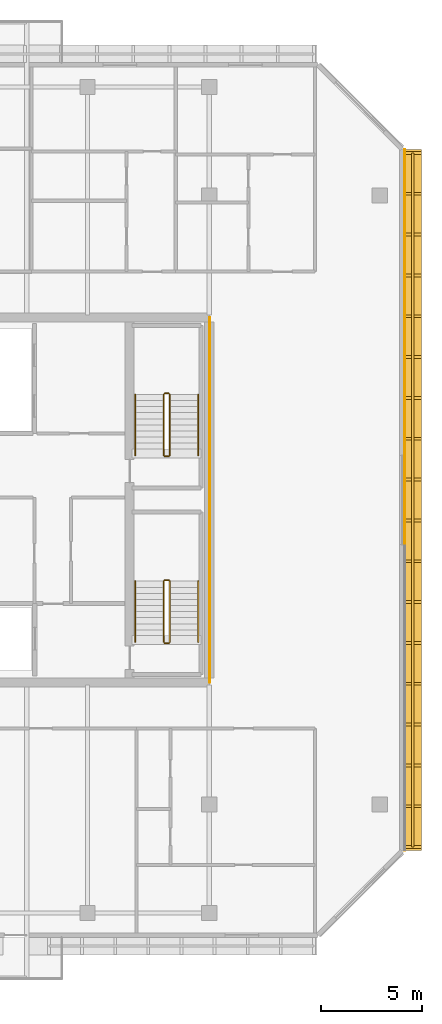
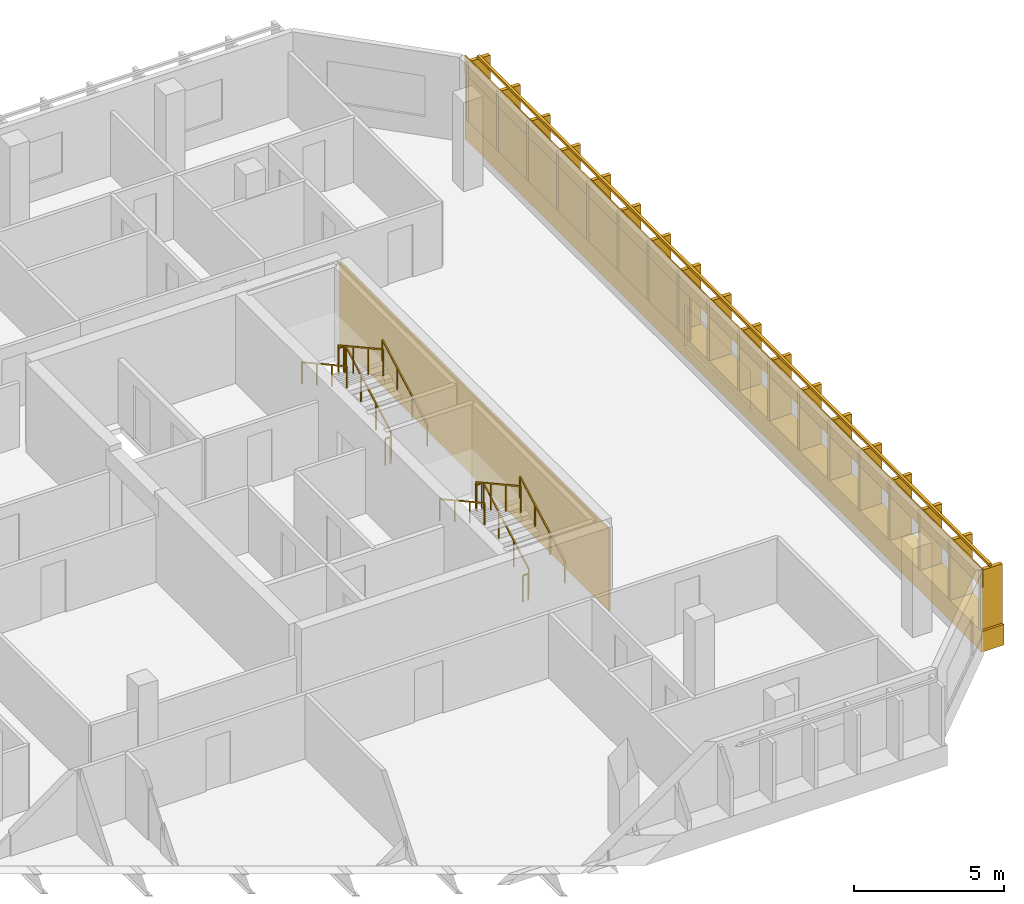
# One storey, part 16 of 17: 13 railings, 4 coverings.
"""IFC4 building model written with IfcOpenShell, lengths in metres."""

from ifc_helpers import new_model, si_unit, direction, frame, origin, origin_2d, place, context, subcontext, project, spatial, rectangle, extrude, material, layer, layer_set, type_object, element, save


model = new_model("IFC4")

# Units and contexts
model_context = context("Model", 3, precision=1e-05, world=origin(), true_north=direction((0.0, 1.0)))
body_context = subcontext(model_context, "Body", "Model", "MODEL_VIEW")
ifc_project = project(units=[si_unit("LENGTHUNIT", "METRE"), si_unit("AREAUNIT", "SQUARE_METRE"), si_unit("VOLUMEUNIT", "CUBIC_METRE"), si_unit("PLANEANGLEUNIT", "RADIAN"), si_unit("MASSUNIT", "GRAM", prefix="KILO")], contexts=[model_context])

# Site, building, storey
site_placement = place(None, origin())
site = spatial("IfcSite", under=ifc_project, at=site_placement, CompositionType="ELEMENT")
building_placement = place(site_placement, origin())
building = spatial("IfcBuilding", under=site, at=building_placement, Name="Tanjung Sevakor Pilgrim Tower", CompositionType="ELEMENT")
storey_placement = place(building_placement, frame((0.0, 0.0, 219.1201171875)))
storey = spatial("IfcBuildingStorey", under=building, at=storey_placement, Name="L61", CompositionType="ELEMENT", Elevation=219.1201171875)

# Coverings
ifc_material_1 = material(Name="Reconstructed Limestone Cladding", Category="masonry")
ifc_layer = layer(ifc_material_1, 0.044921875)
ifc_layer_set = layer_set([ifc_layer], Name="COV-CLAD-LIMESTONE")
covering_type = type_object("IfcCoveringType", Name="COV-CLAD-LIMESTONE", PredefinedType="CLADDING", material=ifc_layer_set)
covering_1_placement = place(storey_placement, frame((100.030029296875, 33.60009765625, 0.009765625), z_axis=(0.0, 0.0, 1.0), x_axis=(0.0, 1.0, 0.0)))
element("IfcCovering", 1, at=covering_1_placement, inside=storey, type_object=covering_type, Name="L61 Warm Limestone Sill Spandrel EW-L61-MAIN-7-1", PredefinedType="CLADDING", context=body_context, shape_type="SweptSolid", body=[
    extrude(rectangle(XDim=34.52880859375, YDim=0.860107421875, at=origin_2d()), origin(), (0.0, 0.0, 1.0), 0.840087890625),
])
covering_2_placement = place(storey_placement, frame((99.62255859375, 33.60009765625, 2.65966796875), z_axis=(0.0, 0.0, 1.0), x_axis=(0.0, 1.0, 0.0)))
element("IfcCovering", 2, at=covering_2_placement, inside=storey, type_object=covering_type, Name="L61 Warm Limestone Cornice Spandrel EW-L61-MAIN-7", PredefinedType="CLADDING", context=body_context, shape_type="SweptSolid", body=[
    extrude(rectangle(XDim=34.56884765625, YDim=0.044921875, at=origin_2d()), origin(), (0.0, 0.0, 1.0), 0.739990234375),
])
covering_3_placement = place(storey_placement, frame((99.62255859375, 43.357177734375, 0.849853515625), z_axis=(0.0, 0.0, 1.0), x_axis=(0.0, 1.0, 0.0)))
element("IfcCovering", 3, at=covering_3_placement, inside=storey, type_object=covering_type, Name="L61 Warm Limestone Pier Panel EW-L61-MAIN-7-2", PredefinedType="CLADDING", context=body_context, shape_type="SweptSolid", body=[
    extrude(rectangle(XDim=15.014404296875, YDim=0.044921875, at=origin_2d()), origin(), (0.0, 0.0, 1.0), 1.81005859375),
])
covering_4_placement = place(storey_placement, frame((90.0224609375, 33.60009765625, 0.019775390625), z_axis=(0.0, 0.0, 1.0), x_axis=(1.0, 0.0, 0.0)))
element("IfcCovering", 4, at=covering_4_placement, inside=storey, type_object=covering_type, Name="L61 Expressed Core Warm Limestone Cladding E", PredefinedType="CLADDING", context=body_context, shape_type="SweptSolid", body=[
    extrude(rectangle(XDim=0.044921875, YDim=18.0, at=origin_2d()), origin(), (0.0, 0.0, 1.0), 3.3701171875),
])

# Railings
ifc_material_2 = material(Name="Anodised Bronze Aluminium 6063-T6", Category="aluminium")
railing_type_1 = type_object("IfcRailingType", Name="RL-FIN-SCREEN", PredefinedType="BALUSTRADE", material=ifc_material_2)
railing_1_placement = place(storey_placement, frame((100.02490234375, 16.49560546875, 0.83984375)))
element("IfcRailing", 5, at=railing_1_placement, inside=storey, type_object=railing_type_1, Name="L61 Vertical Bronze-Gold Solar Fin Screen FNEND-EW-L61-MAIN-7-1", PredefinedType="BALUSTRADE", context=body_context, shape_type="SweptSolid", body=[
    extrude(rectangle(XDim=0.105, YDim=0.105), frame((0.0, 0.0, 2.487548828125), z_axis=(0.0, 1.0, 0.0), x_axis=(-1.0, 0.0, 0.0)), (0.0, 0.0, 1.0), 34.208740234375),
    extrude(rectangle(XDim=0.85, YDim=0.14), origin(), (0.0, 0.0, 1.0), 2.43505859375),
    extrude(rectangle(XDim=0.85, YDim=0.14), frame((0.0, 2.01220703125, 0.0)), (0.0, 0.0, 1.0), 2.43505859375),
    extrude(rectangle(XDim=0.85, YDim=0.14), frame((0.0, 4.024658203125, 0.0)), (0.0, 0.0, 1.0), 2.43505859375),
    extrude(rectangle(XDim=0.85, YDim=0.14), frame((0.0, 6.036865234375, 0.0)), (0.0, 0.0, 1.0), 2.43505859375),
    extrude(rectangle(XDim=0.85, YDim=0.14), frame((0.0, 8.049072265625, 0.0)), (0.0, 0.0, 1.0), 2.43505859375),
    extrude(rectangle(XDim=0.85, YDim=0.14), frame((0.0, 10.061279296875, 0.0)), (0.0, 0.0, 1.0), 2.43505859375),
    extrude(rectangle(XDim=0.85, YDim=0.14), frame((0.0, 12.07373046875, 0.0)), (0.0, 0.0, 1.0), 2.43505859375),
    extrude(rectangle(XDim=0.85, YDim=0.14), frame((0.0, 14.0859375, 0.0)), (0.0, 0.0, 1.0), 2.43505859375),
    extrude(rectangle(XDim=0.85, YDim=0.14), frame((0.0, 16.09814453125, 0.0)), (0.0, 0.0, 1.0), 2.43505859375),
    extrude(rectangle(XDim=0.85, YDim=0.14), frame((0.0, 18.110595703125, 0.0)), (0.0, 0.0, 1.0), 2.43505859375),
    extrude(rectangle(XDim=0.85, YDim=0.14), frame((0.0, 20.122802734375, 0.0)), (0.0, 0.0, 1.0), 2.43505859375),
    extrude(rectangle(XDim=0.85, YDim=0.14), frame((0.0, 22.135009765625, 0.0)), (0.0, 0.0, 1.0), 2.43505859375),
    extrude(rectangle(XDim=0.85, YDim=0.14), frame((0.0, 24.1474609375, 0.0)), (0.0, 0.0, 1.0), 2.43505859375),
    extrude(rectangle(XDim=0.85, YDim=0.14), frame((0.0, 26.15966796875, 0.0)), (0.0, 0.0, 1.0), 2.43505859375),
    extrude(rectangle(XDim=0.85, YDim=0.14), frame((0.0, 28.171875, 0.0)), (0.0, 0.0, 1.0), 2.43505859375),
    extrude(rectangle(XDim=0.85, YDim=0.14), frame((0.0, 30.18408203125, 0.0)), (0.0, 0.0, 1.0), 2.43505859375),
    extrude(rectangle(XDim=0.85, YDim=0.14), frame((0.0, 32.196533203125, 0.0)), (0.0, 0.0, 1.0), 2.43505859375),
    extrude(rectangle(XDim=0.85, YDim=0.14), frame((0.0, 34.208740234375, 0.0)), (0.0, 0.0, 1.0), 2.43505859375),
])
ifc_material_3 = material(Name="Steel S355J2", Category="steel")
railing_type_2 = type_object("IfcRailingType", Name="RL-STAIR-GUARD", PredefinedType="GUARDRAIL", material=ifc_material_3)
railing_2_placement = place(storey_placement, frame((88.050048828125, 26.60009765625, 0.164794921875)))
element("IfcRailing", 6, at=railing_2_placement, inside=storey, type_object=railing_type_2, Name="L61 TS-E1 stair guard 1", PredefinedType="GUARDRAIL", context=body_context, shape_type="SweptSolid", body=[
    extrude(rectangle(XDim=0.0479, YDim=0.0479), frame((0.0, 0.0, 1.076171875), z_axis=(0.0, 0.876197842262, 0.481951596342), x_axis=(-1.0, 0.0, 0.0)), (0.0, 0.0, 1.0), 3.423828125),
    extrude(rectangle(XDim=0.042, YDim=0.042), origin(), (0.0, 0.0, 1.0), 1.052001953125),
    extrude(rectangle(XDim=0.042, YDim=0.042), frame((0.0, 1.0, 0.550048828125)), (0.0, 0.0, 1.0), 1.052001953125),
    extrude(rectangle(XDim=0.042, YDim=0.042), frame((0.0, 2.0, 1.10009765625)), (0.0, 0.0, 1.0), 1.052001953125),
    extrude(rectangle(XDim=0.042, YDim=0.042), frame((0.0, 3.0, 1.650146484375)), (0.0, 0.0, 1.0), 1.052001953125),
])
railing_3_placement = place(storey_placement, frame((88.0, 29.64990234375, 1.81494140625)))
element("IfcRailing", 7, at=railing_3_placement, inside=storey, type_object=railing_type_2, Name="L61 TS-E1 stair guard 2", PredefinedType="GUARDRAIL", context=body_context, shape_type="SweptSolid", body=[
    extrude(rectangle(XDim=0.0479, YDim=0.0479), frame((0.0, 0.0, 1.076171875), z_axis=(-1.0, 0.0, 0.0), x_axis=(0.0, -1.0, 0.0)), (0.0, 0.0, 1.0), 0.199951171875),
    extrude(rectangle(XDim=0.042, YDim=0.042), origin(), (0.0, 0.0, 1.0), 1.052001953125),
    extrude(rectangle(XDim=0.042, YDim=0.042), frame((-0.199951171875, 0.0, 0.0)), (0.0, 0.0, 1.0), 1.052001953125),
])
railing_4_placement = place(storey_placement, frame((87.75, 29.60009765625, 1.97998046875)))
element("IfcRailing", 8, at=railing_4_placement, inside=storey, type_object=railing_type_2, Name="L61 TS-E1 stair guard 3", PredefinedType="GUARDRAIL", context=body_context, shape_type="SweptSolid", body=[
    extrude(rectangle(XDim=0.0479, YDim=0.0479), frame((0.0, 0.0, 1.076171875), z_axis=(0.0, -0.876227952683, 0.48189685093), x_axis=(1.0, 0.0, 0.0)), (0.0, 0.0, 1.0), 3.423828125),
    extrude(rectangle(XDim=0.042, YDim=0.042), origin(), (0.0, 0.0, 1.0), 1.052001953125),
    extrude(rectangle(XDim=0.042, YDim=0.042), frame((0.0, -1.0, 0.550048828125)), (0.0, 0.0, 1.0), 1.052001953125),
    extrude(rectangle(XDim=0.042, YDim=0.042), frame((0.0, -2.0, 1.099853515625)), (0.0, 0.0, 1.0), 1.052001953125),
    extrude(rectangle(XDim=0.042, YDim=0.042), frame((0.0, -3.0, 1.64990234375)), (0.0, 0.0, 1.0), 1.052001953125),
])
railing_5_placement = place(storey_placement, frame((88.0, 26.550048828125, 0.0)))
element("IfcRailing", 9, at=railing_5_placement, inside=storey, type_object=railing_type_2, Name="L61 TS-E1 stair guard 4", PredefinedType="GUARDRAIL", context=body_context, shape_type="SweptSolid", body=[
    extrude(rectangle(XDim=0.0479, YDim=0.0479), frame((0.0, 0.0, 1.076171875), z_axis=(-1.0, 0.0, 0.0), x_axis=(0.0, -1.0, 0.0)), (0.0, 0.0, 1.0), 0.199951171875),
    extrude(rectangle(XDim=0.042, YDim=0.042), origin(), (0.0, 0.0, 1.0), 1.052001953125),
    extrude(rectangle(XDim=0.042, YDim=0.042), frame((-0.199951171875, 0.0, 0.0)), (0.0, 0.0, 1.0), 1.052001953125),
])
railing_6_placement = place(storey_placement, frame((88.050048828125, 35.800048828125, 0.164794921875)))
element("IfcRailing", 10, at=railing_6_placement, inside=storey, type_object=railing_type_2, Name="L61 TS-E2 stair guard 1", PredefinedType="GUARDRAIL", context=body_context, shape_type="SweptSolid", body=[
    extrude(rectangle(XDim=0.0479, YDim=0.0479), frame((0.0, 0.0, 1.076171875), z_axis=(0.0, 0.876197842262, 0.481951596342), x_axis=(-1.0, 0.0, 0.0)), (0.0, 0.0, 1.0), 3.423828125),
    extrude(rectangle(XDim=0.042, YDim=0.042), origin(), (0.0, 0.0, 1.0), 1.052001953125),
    extrude(rectangle(XDim=0.042, YDim=0.042), frame((0.0, 1.0, 0.550048828125)), (0.0, 0.0, 1.0), 1.052001953125),
    extrude(rectangle(XDim=0.042, YDim=0.042), frame((0.0, 2.0, 1.10009765625)), (0.0, 0.0, 1.0), 1.052001953125),
    extrude(rectangle(XDim=0.042, YDim=0.042), frame((0.0, 3.0, 1.650146484375)), (0.0, 0.0, 1.0), 1.052001953125),
])
railing_7_placement = place(storey_placement, frame((88.0, 38.85009765625, 1.81494140625)))
element("IfcRailing", 11, at=railing_7_placement, inside=storey, type_object=railing_type_2, Name="L61 TS-E2 stair guard 2", PredefinedType="GUARDRAIL", context=body_context, shape_type="SweptSolid", body=[
    extrude(rectangle(XDim=0.0479, YDim=0.0479), frame((0.0, 0.0, 1.076171875), z_axis=(-1.0, 0.0, 0.0), x_axis=(0.0, -1.0, 0.0)), (0.0, 0.0, 1.0), 0.199951171875),
    extrude(rectangle(XDim=0.042, YDim=0.042), origin(), (0.0, 0.0, 1.0), 1.052001953125),
    extrude(rectangle(XDim=0.042, YDim=0.042), frame((-0.199951171875, 0.0, 0.0)), (0.0, 0.0, 1.0), 1.052001953125),
])
railing_8_placement = place(storey_placement, frame((87.75, 38.800048828125, 1.97998046875)))
element("IfcRailing", 12, at=railing_8_placement, inside=storey, type_object=railing_type_2, Name="L61 TS-E2 stair guard 3", PredefinedType="GUARDRAIL", context=body_context, shape_type="SweptSolid", body=[
    extrude(rectangle(XDim=0.0479, YDim=0.0479), frame((0.0, 0.0, 1.076171875), z_axis=(0.0, -0.876227952683, 0.48189685093), x_axis=(1.0, 0.0, 0.0)), (0.0, 0.0, 1.0), 3.423828125),
    extrude(rectangle(XDim=0.042, YDim=0.042), origin(), (0.0, 0.0, 1.0), 1.052001953125),
    extrude(rectangle(XDim=0.042, YDim=0.042), frame((0.0, -1.0, 0.550048828125)), (0.0, 0.0, 1.0), 1.052001953125),
    extrude(rectangle(XDim=0.042, YDim=0.042), frame((0.0, -2.0, 1.099853515625)), (0.0, 0.0, 1.0), 1.052001953125),
    extrude(rectangle(XDim=0.042, YDim=0.042), frame((0.0, -3.0, 1.64990234375)), (0.0, 0.0, 1.0), 1.052001953125),
])
railing_9_placement = place(storey_placement, frame((88.0, 35.75, 0.0)))
element("IfcRailing", 13, at=railing_9_placement, inside=storey, type_object=railing_type_2, Name="L61 TS-E2 stair guard 4", PredefinedType="GUARDRAIL", context=body_context, shape_type="SweptSolid", body=[
    extrude(rectangle(XDim=0.0479, YDim=0.0479), frame((0.0, 0.0, 1.076171875), z_axis=(-1.0, 0.0, 0.0), x_axis=(0.0, -1.0, 0.0)), (0.0, 0.0, 1.0), 0.199951171875),
    extrude(rectangle(XDim=0.042, YDim=0.042), origin(), (0.0, 0.0, 1.0), 1.052001953125),
    extrude(rectangle(XDim=0.042, YDim=0.042), frame((-0.199951171875, 0.0, 0.0)), (0.0, 0.0, 1.0), 1.052001953125),
])
ifc_material_4 = material(Name="Steel S355J2", Category="steel")
railing_type_3 = type_object("IfcRailingType", Name="RL-STAIR-HAND", PredefinedType="HANDRAIL", material=ifc_material_4)
railing_10_placement = place(storey_placement, frame((89.449951171875, 26.60009765625, 0.164794921875)))
element("IfcRailing", 14, at=railing_10_placement, inside=storey, type_object=railing_type_3, Name="L61 TS-E1 stair handrail 1", PredefinedType="HANDRAIL", context=body_context, shape_type="SweptSolid", body=[
    extrude(rectangle(XDim=0.0479, YDim=0.0479), frame((0.0, 0.0, 0.8759765625), z_axis=(0.0, 0.876197842262, 0.481951596342), x_axis=(-1.0, 0.0, 0.0)), (0.0, 0.0, 1.0), 3.423828125),
    extrude(rectangle(XDim=0.042, YDim=0.042), origin(), (0.0, 0.0, 1.0), 0.851806640625),
    extrude(rectangle(XDim=0.042, YDim=0.042), frame((0.0, 1.0, 0.550048828125)), (0.0, 0.0, 1.0), 0.851806640625),
    extrude(rectangle(XDim=0.042, YDim=0.042), frame((0.0, 2.0, 1.10009765625)), (0.0, 0.0, 1.0), 0.851806640625),
    extrude(rectangle(XDim=0.042, YDim=0.042), frame((0.0, 3.0, 1.650146484375)), (0.0, 0.0, 1.0), 0.851806640625),
])
railing_11_placement = place(storey_placement, frame((86.35009765625, 29.60009765625, 1.97998046875)))
element("IfcRailing", 15, at=railing_11_placement, inside=storey, type_object=railing_type_3, Name="L61 TS-E1 stair handrail 2", PredefinedType="HANDRAIL", context=body_context, shape_type="SweptSolid", body=[
    extrude(rectangle(XDim=0.0479, YDim=0.0479), frame((0.0, 0.0, 0.8759765625), z_axis=(0.0, -0.876227952683, 0.48189685093), x_axis=(1.0, 0.0, 0.0)), (0.0, 0.0, 1.0), 3.423828125),
    extrude(rectangle(XDim=0.042, YDim=0.042), origin(), (0.0, 0.0, 1.0), 0.851806640625),
    extrude(rectangle(XDim=0.042, YDim=0.042), frame((0.0, -1.0, 0.550048828125)), (0.0, 0.0, 1.0), 0.851806640625),
    extrude(rectangle(XDim=0.042, YDim=0.042), frame((0.0, -2.0, 1.099853515625)), (0.0, 0.0, 1.0), 0.851806640625),
    extrude(rectangle(XDim=0.042, YDim=0.042), frame((0.0, -3.0, 1.64990234375)), (0.0, 0.0, 1.0), 0.851806640625),
])
railing_12_placement = place(storey_placement, frame((89.449951171875, 35.800048828125, 0.164794921875)))
element("IfcRailing", 16, at=railing_12_placement, inside=storey, type_object=railing_type_3, Name="L61 TS-E2 stair handrail 1", PredefinedType="HANDRAIL", context=body_context, shape_type="SweptSolid", body=[
    extrude(rectangle(XDim=0.0479, YDim=0.0479), frame((0.0, 0.0, 0.8759765625), z_axis=(0.0, 0.876197842262, 0.481951596342), x_axis=(-1.0, 0.0, 0.0)), (0.0, 0.0, 1.0), 3.423828125),
    extrude(rectangle(XDim=0.042, YDim=0.042), origin(), (0.0, 0.0, 1.0), 0.851806640625),
    extrude(rectangle(XDim=0.042, YDim=0.042), frame((0.0, 1.0, 0.550048828125)), (0.0, 0.0, 1.0), 0.851806640625),
    extrude(rectangle(XDim=0.042, YDim=0.042), frame((0.0, 2.0, 1.10009765625)), (0.0, 0.0, 1.0), 0.851806640625),
    extrude(rectangle(XDim=0.042, YDim=0.042), frame((0.0, 3.0, 1.650146484375)), (0.0, 0.0, 1.0), 0.851806640625),
])
railing_13_placement = place(storey_placement, frame((86.35009765625, 38.800048828125, 1.97998046875)))
element("IfcRailing", 17, at=railing_13_placement, inside=storey, type_object=railing_type_3, Name="L61 TS-E2 stair handrail 2", PredefinedType="HANDRAIL", context=body_context, shape_type="SweptSolid", body=[
    extrude(rectangle(XDim=0.0479, YDim=0.0479), frame((0.0, 0.0, 0.8759765625), z_axis=(0.0, -0.876227952683, 0.48189685093), x_axis=(1.0, 0.0, 0.0)), (0.0, 0.0, 1.0), 3.423828125),
    extrude(rectangle(XDim=0.042, YDim=0.042), origin(), (0.0, 0.0, 1.0), 0.851806640625),
    extrude(rectangle(XDim=0.042, YDim=0.042), frame((0.0, -1.0, 0.550048828125)), (0.0, 0.0, 1.0), 0.851806640625),
    extrude(rectangle(XDim=0.042, YDim=0.042), frame((0.0, -2.0, 1.099853515625)), (0.0, 0.0, 1.0), 0.851806640625),
    extrude(rectangle(XDim=0.042, YDim=0.042), frame((0.0, -3.0, 1.64990234375)), (0.0, 0.0, 1.0), 0.851806640625),
])

save(model, "model.ifc")
